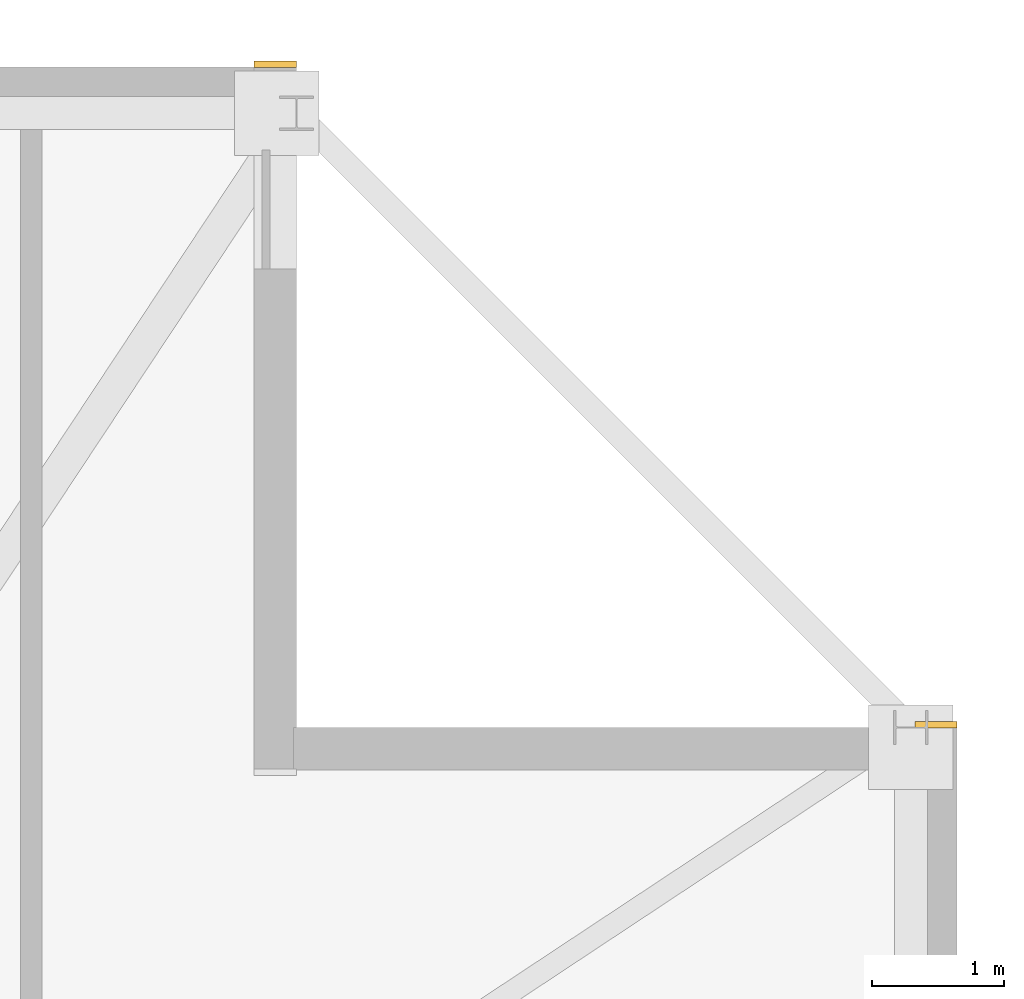
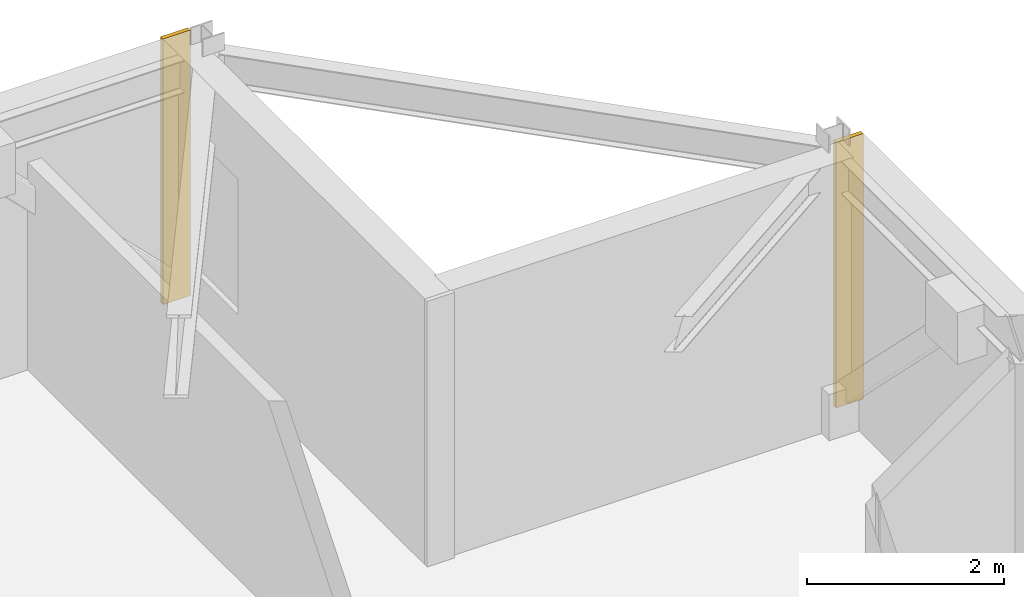
# One storey, part 17 of 17: 2 coverings.
"""IFC4 building model written with IfcOpenShell, lengths in metres."""

from ifc_helpers import new_model, si_unit, direction, frame, frame_2d, origin, place, context, subcontext, project, spatial, rectangle, extrude, material, layer, layer_set, type_object, element, save


model = new_model("IFC4")

# Units and contexts
model_context = context("Model", 3, precision=1e-05, world=origin(), true_north=direction((0.0, 1.0)))
body_context = subcontext(model_context, "Body", "Model", "MODEL_VIEW")
ifc_project = project(units=[si_unit("LENGTHUNIT", "METRE"), si_unit("AREAUNIT", "SQUARE_METRE"), si_unit("VOLUMEUNIT", "CUBIC_METRE"), si_unit("PLANEANGLEUNIT", "RADIAN"), si_unit("MASSUNIT", "GRAM", prefix="KILO")], contexts=[model_context])

# Site, building, storey
site_placement = place(None, origin())
site = spatial("IfcSite", under=ifc_project, at=site_placement, CompositionType="ELEMENT")
building_placement = place(site_placement, origin())
building = spatial("IfcBuilding", under=site, at=building_placement, Name="Cairnveth Concourse Tower", CompositionType="ELEMENT")
storey_placement = place(building_placement, frame((0.0, 0.0, 269.0)))
storey = spatial("IfcBuildingStorey", under=building, at=storey_placement, Name="L74", CompositionType="ELEMENT", Elevation=269.0)

# Coverings
ifc_material = material(Name="Dressed Melbourne Bluestone Cladding", Category="masonry")
ifc_layer = layer(ifc_material, 0.050048828125)
ifc_layer_set = layer_set([ifc_layer], Name="Dressed Melbourne Bluestone Cladding")
covering_type = type_object("IfcCoveringType", Name="DRESSED BLUESTONE PLINTH CLADDING 50", PredefinedType="CLADDING", material=ifc_layer_set)
for number, where, z_axis, x_axis, name in (
    (1, (69.179931640625, 61.52001953125, 0.0), (0.0, 0.0, 1.0), (1.0, 0.0, 0.0), "Melbourne Bluestone Corner Quoin L74-1126"),
    (2, (74.179931640625, 56.52001953125, 0.0), (0.0, 0.0, 1.0), (1.0, 0.0, 0.0), "Melbourne Bluestone Corner Quoin L74-1128"),
):
    element("IfcCovering", number, at=place(storey_placement, frame(where, z_axis=z_axis, x_axis=x_axis)), inside=storey, type_object=covering_type, Name=name, PredefinedType="CLADDING", context=body_context, shape_type="SweptSolid", body=[
        extrude(rectangle(XDim=0.320068359375, YDim=0.050048828125, at=frame_2d((0.16015625, 0.0))), origin(), (0.0, 0.0, 1.0), 3.2900390625),
    ])

save(model, "model.ifc")
